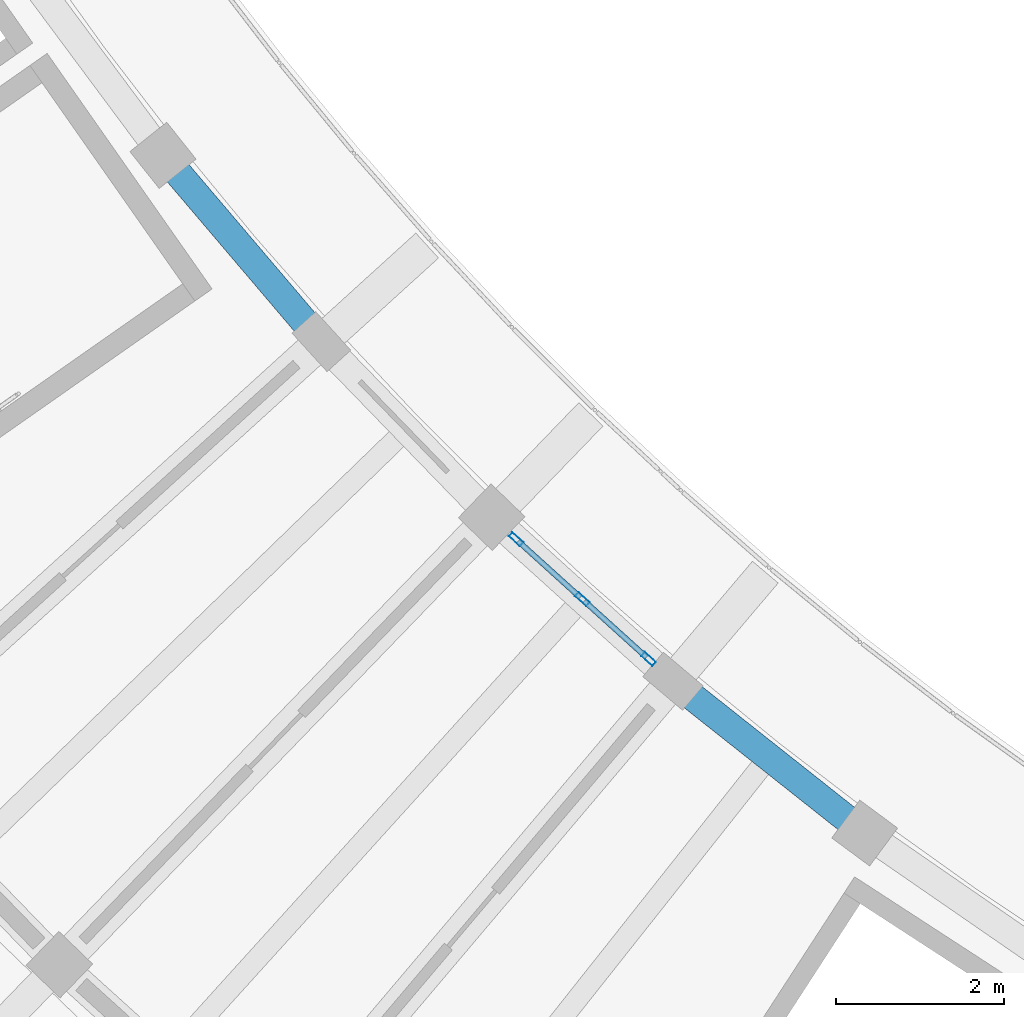
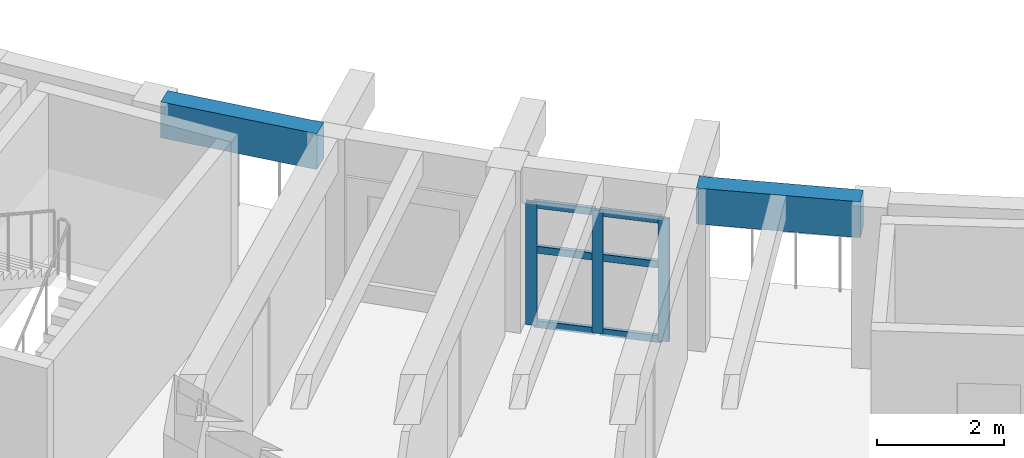
# One storey, part 4 of 81: 9 members, 2 beams, 1 element without a shape of its own.
"""IFC4 building model written with IfcOpenShell, lengths in metres."""

from ifc_helpers import new_model, si_unit, direction, frame, origin, origin_2d, place, context, subcontext, project, spatial, rectangle, hollow_rectangle, extrude, material, material_profile, profile_set, type_object, element, aggregate, save


model = new_model("IFC4")

# Units and contexts
model_context = context("Model", 3, precision=1e-05, world=origin(), true_north=direction((0.0, 1.0)))
body_context = subcontext(model_context, "Body", "Model", "MODEL_VIEW")
ifc_project = project(units=[si_unit("LENGTHUNIT", "METRE"), si_unit("AREAUNIT", "SQUARE_METRE"), si_unit("VOLUMEUNIT", "CUBIC_METRE"), si_unit("PLANEANGLEUNIT", "RADIAN"), si_unit("MASSUNIT", "GRAM", prefix="KILO")], contexts=[model_context])

# Site, building, storey
site_placement = place(None, origin())
site = spatial("IfcSite", under=ifc_project, at=site_placement, CompositionType="ELEMENT")
building_placement = place(site_placement, origin())
building = spatial("IfcBuilding", under=site, at=building_placement, Name="Tanwirah Colonnade Gardens", CompositionType="ELEMENT")
storey_placement = place(building_placement, frame((0.0, 0.0, 18.919921875)))
storey = spatial("IfcBuildingStorey", under=building, at=storey_placement, Name="L05", CompositionType="ELEMENT", Elevation=18.919921875)

# Curtain wall, members
ifc_material_1 = material(Name="Bronze-anodised aluminium and solar-control low-E glass", Category="aluminium")
curtain_wall_type = type_object("IfcCurtainWallType", Name="CW-GDN", PredefinedType="NOTDEFINED", material=ifc_material_1)
curtain_wall_placement = place(storey_placement, origin())
curtain_wall = element("IfcCurtainWall", 1, at=curtain_wall_placement, inside=storey, type_object=curtain_wall_type, Name="Curtain Wall CW-C-L05-IN-08", PredefinedType="NOTDEFINED")
ifc_material_2 = material(Name="Bronze-anodised aluminium", Category="aluminium")
ifc_material_profile_1 = material_profile(ifc_material_2, hollow_rectangle(XDim=0.06494140625, YDim=0.179931640625, WallThickness=0.00390625, at=origin_2d()), Name="CW-MUL 65x180x4")
ifc_profile_set_1 = profile_set([ifc_material_profile_1], Name="Bronze-anodised aluminium")
member_type_1 = type_object("IfcMemberType", Name="CWM-65x180", PredefinedType="MULLION", material=ifc_profile_set_1)
member_1_placement = place(storey_placement, frame((34.41357421875, 32.261962890625, 0.0), z_axis=(0.0, 0.0, 1.0), x_axis=(0.670750964954, 0.741682643058, 0.0)))
member_1 = element("IfcMember", 2, at=member_1_placement, type_object=member_type_1, Name="CW-GDN mullion 1", PredefinedType="MULLION", context=body_context, shape_type="SweptSolid", body=[
    extrude(hollow_rectangle(XDim=0.06494140625, YDim=0.179931640625, WallThickness=0.00390625, at=origin_2d()), origin(), (0.0, 0.0, 1.0), 2.35498046875),
])
member_2_placement = place(storey_placement, frame((35.201171875, 31.5498046875, 0.0), z_axis=(0.0, 0.0, 1.0), x_axis=(0.670750964954, 0.741682643058, 0.0)))
member_2 = element("IfcMember", 3, at=member_2_placement, type_object=member_type_1, Name="CW-GDN mullion 2", PredefinedType="MULLION", context=body_context, shape_type="SweptSolid", body=[
    extrude(hollow_rectangle(XDim=0.06494140625, YDim=0.179931640625, WallThickness=0.00390625, at=origin_2d()), origin(), (0.0, 0.0, 1.0), 2.35498046875),
])
member_3_placement = place(storey_placement, frame((35.98876953125, 30.837646484375, 0.0), z_axis=(0.0, 0.0, 1.0), x_axis=(0.670750964954, 0.741682643058, 0.0)))
member_3 = element("IfcMember", 4, at=member_3_placement, type_object=member_type_1, Name="CW-GDN mullion 3", PredefinedType="MULLION", context=body_context, shape_type="SweptSolid", body=[
    extrude(hollow_rectangle(XDim=0.06494140625, YDim=0.179931640625, WallThickness=0.00390625, at=origin_2d()), origin(), (0.0, 0.0, 1.0), 2.35498046875),
])
ifc_material_profile_2 = material_profile(ifc_material_2, hollow_rectangle(XDim=0.06494140625, YDim=0.135009765625, WallThickness=0.00390625, at=origin_2d()), Name="CW-TRN 65x135x4")
ifc_profile_set_2 = profile_set([ifc_material_profile_2], Name="Bronze-anodised aluminium")
member_type_2 = type_object("IfcMemberType", Name="CWT-65x135", PredefinedType="USERDEFINED", material=ifc_profile_set_2)
member_4_placement = place(storey_placement, frame((34.437744140625, 32.240234375, 0.032470703125), z_axis=(0.741611204244, -0.670829949942, 0.0), x_axis=(0.670829949942, 0.741611204244, 0.0)))
member_4 = element("IfcMember", 5, at=member_4_placement, type_object=member_type_2, Name="CW-GDN transom 1.1", ObjectType="TRANSOM", PredefinedType="USERDEFINED", context=body_context, shape_type="SweptSolid", body=[
    extrude(hollow_rectangle(XDim=0.06494140625, YDim=0.135009765625, WallThickness=0.00390625, at=origin_2d()), origin(), (0.0, 0.0, 1.0), 0.996826171875),
])
member_5_placement = place(storey_placement, frame((34.437744140625, 32.240234375, 1.460205078125), z_axis=(0.741611204244, -0.670829949942, 0.0), x_axis=(0.670829949942, 0.741611204244, 0.0)))
member_5 = element("IfcMember", 6, at=member_5_placement, type_object=member_type_2, Name="CW-GDN transom 1.2", ObjectType="TRANSOM", PredefinedType="USERDEFINED", context=body_context, shape_type="SweptSolid", body=[
    extrude(hollow_rectangle(XDim=0.06494140625, YDim=0.135009765625, WallThickness=0.00390625, at=origin_2d()), origin(), (0.0, 0.0, 1.0), 0.996826171875),
])
member_6_placement = place(storey_placement, frame((34.437744140625, 32.240234375, 2.322509765625), z_axis=(0.741611204244, -0.670829949942, 0.0), x_axis=(0.670829949942, 0.741611204244, 0.0)))
member_6 = element("IfcMember", 7, at=member_6_placement, type_object=member_type_2, Name="CW-GDN transom 1.3", ObjectType="TRANSOM", PredefinedType="USERDEFINED", context=body_context, shape_type="SweptSolid", body=[
    extrude(hollow_rectangle(XDim=0.06494140625, YDim=0.135009765625, WallThickness=0.00390625, at=origin_2d()), origin(), (0.0, 0.0, 1.0), 0.996826171875),
])
member_7_placement = place(storey_placement, frame((35.22509765625, 31.528076171875, 0.032470703125), z_axis=(0.741721390388, -0.67070811762, 0.0), x_axis=(0.67070811762, 0.741721390388, 0.0)))
member_7 = element("IfcMember", 8, at=member_7_placement, type_object=member_type_2, Name="CW-GDN transom 2.1", ObjectType="TRANSOM", PredefinedType="USERDEFINED", context=body_context, shape_type="SweptSolid", body=[
    extrude(hollow_rectangle(XDim=0.06494140625, YDim=0.135009765625, WallThickness=0.00390625, at=origin_2d()), origin(), (0.0, 0.0, 1.0), 0.9970703125),
])
member_8_placement = place(storey_placement, frame((35.22509765625, 31.528076171875, 1.460205078125), z_axis=(0.741721390388, -0.67070811762, 0.0), x_axis=(0.67070811762, 0.741721390388, 0.0)))
member_8 = element("IfcMember", 9, at=member_8_placement, type_object=member_type_2, Name="CW-GDN transom 2.2", ObjectType="TRANSOM", PredefinedType="USERDEFINED", context=body_context, shape_type="SweptSolid", body=[
    extrude(hollow_rectangle(XDim=0.06494140625, YDim=0.135009765625, WallThickness=0.00390625, at=origin_2d()), origin(), (0.0, 0.0, 1.0), 0.9970703125),
])
member_9_placement = place(storey_placement, frame((35.22509765625, 31.528076171875, 2.322509765625), z_axis=(0.741721390388, -0.67070811762, 0.0), x_axis=(0.67070811762, 0.741721390388, 0.0)))
member_9 = element("IfcMember", 10, at=member_9_placement, type_object=member_type_2, Name="CW-GDN transom 2.3", ObjectType="TRANSOM", PredefinedType="USERDEFINED", context=body_context, shape_type="SweptSolid", body=[
    extrude(hollow_rectangle(XDim=0.06494140625, YDim=0.135009765625, WallThickness=0.00390625, at=origin_2d()), origin(), (0.0, 0.0, 1.0), 0.9970703125),
])
aggregate(curtain_wall, [member_1, member_2, member_3, member_4, member_5, member_6, member_7, member_8, member_9])

# Beams
ifc_material_3 = material(Name="Precast concrete C40/50", Category="concrete")
ifc_material_profile_3 = material_profile(ifc_material_3, rectangle(XDim=0.330078125, YDim=0.68994140625, at=origin_2d()), Name="PC-SP 330x690")
ifc_profile_set_3 = profile_set([ifc_material_profile_3], Name="Precast concrete C40/50")
beam_type = type_object("IfcBeamType", Name="SP-PC280", PredefinedType="SPANDREL", material=ifc_profile_set_3)
beam_1_placement = place(storey_placement, frame((30.310302734375, 36.71484375, 2.76513671875), z_axis=(0.647811402053, -0.761800753065, 0.0), x_axis=(0.761800753065, 0.647811402053, 0.0)))
element("IfcBeam", 11, at=beam_1_placement, inside=storey, type_object=beam_type, Name="Block C L05 Circumferential Beam 6-R0", PredefinedType="SPANDREL", context=body_context, shape_type="SweptSolid", body=[
    extrude(rectangle(XDim=0.330078125, YDim=0.68994140625, at=origin_2d()), origin(), (0.0, 0.0, 1.0), 2.608642578125),
])
beam_2_placement = place(storey_placement, frame((36.3974609375, 30.481201171875, 2.76513671875), z_axis=(0.783945239852, -0.62082997746, 0.0), x_axis=(0.62082997746, 0.783945239852, 0.0)))
element("IfcBeam", 12, at=beam_2_placement, inside=storey, type_object=beam_type, Name="Block C L05 Circumferential Beam 9-R0", PredefinedType="SPANDREL", context=body_context, shape_type="SweptSolid", body=[
    extrude(rectangle(XDim=0.330078125, YDim=0.68994140625, at=origin_2d()), origin(), (0.0, 0.0, 1.0), 2.60888671875),
])

save(model, "model.ifc")
